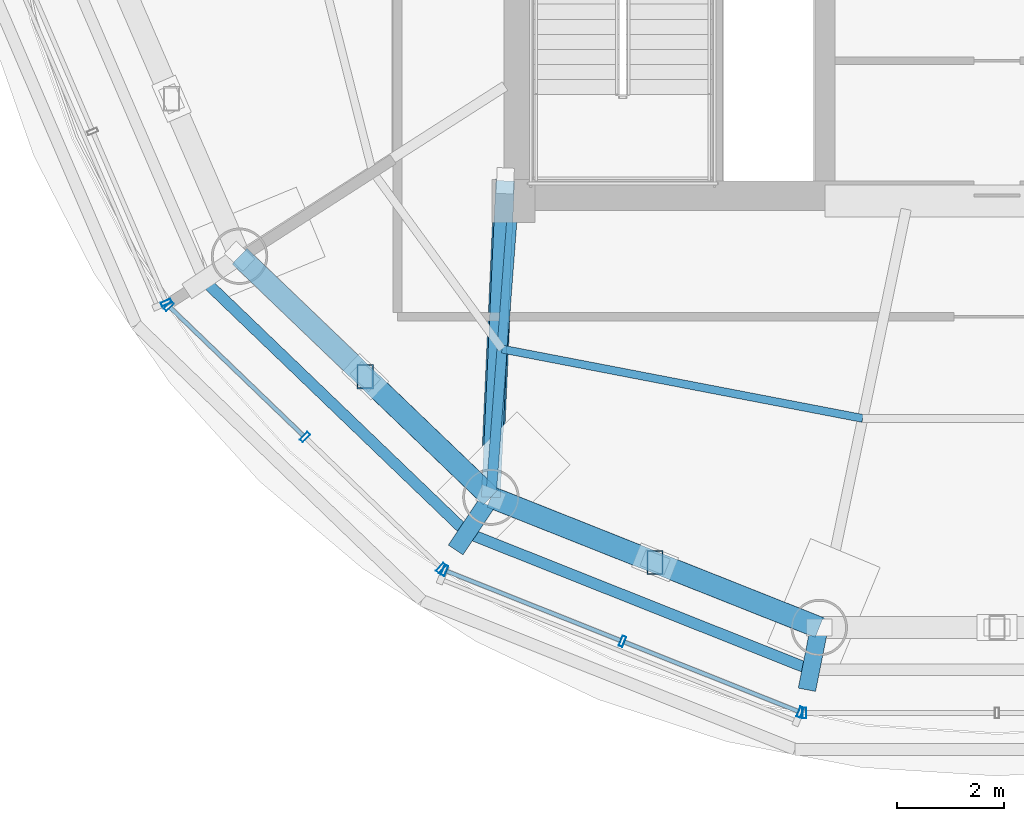
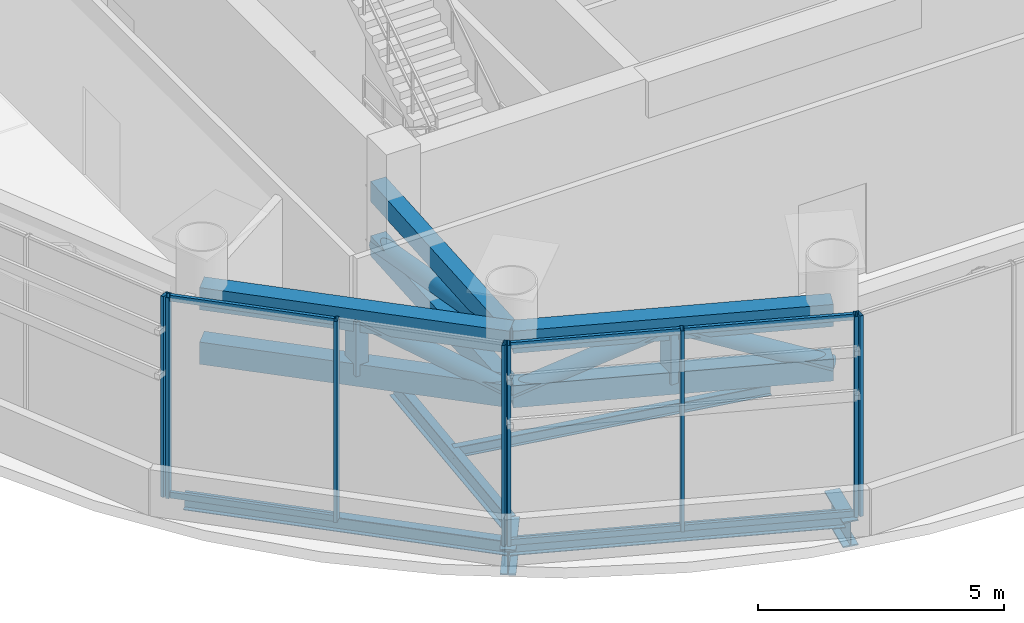
# One storey, part 2 of 21: 26 members, 6 beams, 4 elements without a shape of their own.
"""IFC4 building model written with IfcOpenShell, lengths in metres."""

from ifc_helpers import new_model, si_unit, direction, frame, origin, origin_2d, place, context, subcontext, project, spatial, hollow_rectangle, hollow_circle, i_section, extrude, source, transform, mapped, material, material_profile, profile_set, type_object, element, aggregate, save


model = new_model("IFC4")

# Units and contexts
model_context = context("Model", 3, precision=1e-05, world=origin(), true_north=direction((-0.2419218956, 0.970295726276)))
body_context = subcontext(model_context, "Body", "Model", "MODEL_VIEW")
ifc_project = project(units=[si_unit("LENGTHUNIT", "METRE"), si_unit("AREAUNIT", "SQUARE_METRE"), si_unit("VOLUMEUNIT", "CUBIC_METRE"), si_unit("PLANEANGLEUNIT", "RADIAN"), si_unit("MASSUNIT", "GRAM", prefix="KILO")], contexts=[model_context])

# Site, building, storey
site_placement = place(None, origin())
site = spatial("IfcSite", under=ifc_project, at=site_placement, CompositionType="ELEMENT")
building_placement = place(site_placement, origin())
building = spatial("IfcBuilding", under=site, at=building_placement, Name="Cobrevalo Terracotta Tower", CompositionType="ELEMENT")
storey_placement = place(building_placement, frame((0.0, 0.0, 300.699951171875)))
storey = spatial("IfcBuildingStorey", under=building, at=storey_placement, Name="L79", CompositionType="ELEMENT", Elevation=300.699951171875)

# Beams
ifc_material_1 = material(Name="Steel S355", Category="steel")
ifc_material_profile_1 = material_profile(ifc_material_1, i_section(OverallWidth=0.19091796875, OverallDepth=0.4599609375, WebThickness=0.010009765625, FlangeThickness=0.01611328125, at=origin_2d()), Name="W 460x82")
ifc_profile_set_1 = profile_set([ifc_material_profile_1], Name="Steel S355")
beam_type_1 = type_object("IfcBeamType", Name="Structural Beam W 460x82 (Steel S355)", PredefinedType="BEAM", material=ifc_profile_set_1)
beam_1_placement = place(storey_placement, frame((28.5830078125, 13.28857421875, -0.679931640625), z_axis=(0.075443293912, 0.997150093719, 0.0), x_axis=(-0.997150093719, 0.075443293912, 0.0)))
element("IfcBeam", 1, at=beam_1_placement, inside=storey, type_object=beam_type_1, Name="L79 radial floor girder 11", PredefinedType="BEAM", context=body_context, shape_type="SweptSolid", body=[
    extrude(i_section(OverallWidth=0.19091796875, OverallDepth=0.4599609375, WebThickness=0.010009765625, FlangeThickness=0.01611328125, at=origin_2d()), origin(), (0.0, 0.0, 1.0), 5.52734375),
])
ifc_material_profile_2 = material_profile(ifc_material_1, i_section(OverallWidth=0.3291015625, OverallDepth=0.635009765625, WebThickness=0.017822265625, FlangeThickness=0.031005859375, at=origin_2d()), Name="W 610x241")
ifc_profile_set_2 = profile_set([ifc_material_profile_2], Name="Steel S355")
beam_type_2 = type_object("IfcBeamType", Name="Structural Beam W 610x241 (Steel S355)", PredefinedType="BEAM", material=ifc_profile_set_2)
beam_2_placement = place(storey_placement, frame((27.927490234375, 12.307373046875, -0.767333984375), z_axis=(0.555511595138, 0.831508789892, 0.0), x_axis=(-0.831508789892, 0.555511595138, 0.0)))
element("IfcBeam", 2, at=beam_2_placement, inside=storey, type_object=beam_type_2, Name="L79 setback step-link girder 11", PredefinedType="BEAM", context=body_context, shape_type="SweptSolid", body=[
    extrude(i_section(OverallWidth=0.3291015625, OverallDepth=0.635009765625, WebThickness=0.017822265625, FlangeThickness=0.031005859375, at=origin_2d()), origin(), (0.0, 0.0, 1.0), 1.179931640625),
])
beam_3_placement = place(storey_placement, frame((34.463134765625, 9.704833984375, -0.767333984375), z_axis=(0.194882646266, 0.980826566822, 0.0), x_axis=(-0.980826566822, 0.194882646266, 0.0)))
element("IfcBeam", 3, at=beam_3_placement, inside=storey, type_object=beam_type_2, Name="L79 setback step-link girder 12", PredefinedType="BEAM", context=body_context, shape_type="SweptSolid", body=[
    extrude(i_section(OverallWidth=0.3291015625, OverallDepth=0.635009765625, WebThickness=0.017822265625, FlangeThickness=0.031005859375, at=origin_2d()), origin(), (0.0, 0.0, 1.0), 1.18017578125),
])
ifc_material_profile_3 = material_profile(ifc_material_1, i_section(OverallWidth=0.14794921875, OverallDepth=0.26611328125, WebThickness=0.007568359375, FlangeThickness=0.012939453125, at=origin_2d()), Name="W 250x44.8")
ifc_profile_set_3 = profile_set([ifc_material_profile_3], Name="Steel S355")
beam_type_3 = type_object("IfcBeamType", Name="Structural Joist W 250x44.8 (Steel S355)", PredefinedType="JOIST", material=ifc_profile_set_3)
beam_4_placement = place(storey_placement, frame((28.79150390625, 16.044189453125, -0.5830078125), z_axis=(0.981997269935, -0.188895108038, 0.0), x_axis=(0.188895108038, 0.981997269935, 0.0)))
element("IfcBeam", 4, at=beam_4_placement, inside=storey, type_object=beam_type_3, Name="L79 circumferential secondary floor joist 11", PredefinedType="JOIST", context=body_context, shape_type="SweptSolid", body=[
    extrude(i_section(OverallWidth=0.14794921875, OverallDepth=0.26611328125, WebThickness=0.007568359375, FlangeThickness=0.012939453125, at=origin_2d()), origin(), (0.0, 0.0, 1.0), 6.83203125),
])
ifc_material_profile_4 = material_profile(ifc_material_1, i_section(OverallWidth=0.205078125, OverallDepth=0.35400390625, WebThickness=0.009521484375, FlangeThickness=0.016845703125, at=origin_2d()), Name="W 360x79")
ifc_profile_set_4 = profile_set([ifc_material_profile_4], Name="Steel S355")
beam_type_4 = type_object("IfcBeamType", Name="Structural Spandrel W 360x79 (Steel S355)", PredefinedType="SPANDREL", material=ifc_profile_set_4)
beam_5_placement = place(storey_placement, frame((23.241455078125, 17.32763671875, -0.626953125), z_axis=(0.721183246144, -0.692744343522, 0.0), x_axis=(0.692744343522, 0.721183246144, 0.0)))
element("IfcBeam", 5, at=beam_5_placement, inside=storey, type_object=beam_type_4, Name="L79 perimeter ring spandrel 10", PredefinedType="SPANDREL", context=body_context, shape_type="SweptSolid", body=[
    extrude(i_section(OverallWidth=0.205078125, OverallDepth=0.35400390625, WebThickness=0.009521484375, FlangeThickness=0.016845703125, at=origin_2d()), origin(), (0.0, 0.0, 1.0), 6.79052734375),
])
beam_6_placement = place(storey_placement, frame((28.138671875, 12.62353515625, -0.626953125), z_axis=(0.929149986048, -0.369702993533, 0.0), x_axis=(0.369702993533, 0.929149986048, 0.0)))
element("IfcBeam", 6, at=beam_6_placement, inside=storey, type_object=beam_type_4, Name="L79 perimeter ring spandrel 11", PredefinedType="SPANDREL", context=body_context, shape_type="SweptSolid", body=[
    extrude(i_section(OverallWidth=0.205078125, OverallDepth=0.35400390625, WebThickness=0.009521484375, FlangeThickness=0.016845703125, at=origin_2d()), origin(), (0.0, 0.0, 1.0), 6.88623046875),
])

# Members
ifc_material_profile_5 = material_profile(ifc_material_1, hollow_rectangle(XDim=0.300048828125, YDim=0.449951171875, WallThickness=0.02001953125, at=origin_2d()), Name="RHS 450x300x20")
ifc_profile_set_5 = profile_set([ifc_material_profile_5], Name="Steel S355")
member_type_1 = type_object("IfcMemberType", Name="Steel Post RHS 450x300x20 (Steel S355)", PredefinedType="POST", material=ifc_profile_set_5)
shared_shape_1 = source(origin(), body_context, "Body", "SweptSolid", [
    extrude(hollow_rectangle(XDim=0.300048828125, YDim=0.449951171875, WallThickness=0.02001953125, at=origin_2d()), origin(), (0.0, 0.0, 1.0), 1.349853515625),
])
for number, where, z_axis, x_axis, name in (
    (7, (26.244873046875, 15.5302734375, 2.650146484375), (0.0, 0.0, 1.0), (1.0, 0.0, 0.0), "L79 belt truss post 10"),
    (8, (31.63818359375, 12.075439453125, 2.650146484375), (0.0, 0.0, 1.0), (1.0, 0.0, 0.0), "L79 belt truss post 11"),
):
    element("IfcMember", number, at=place(storey_placement, frame(where, z_axis=z_axis, x_axis=x_axis)), inside=storey, type_object=member_type_1, Name=name, PredefinedType="POST", context=body_context, shape_type="MappedRepresentation", body=[
        mapped(shared_shape_1, transform((0.0, 0.0, 0.0), scale=1.0)),
    ])
ifc_material_profile_6 = material_profile(ifc_material_1, hollow_circle(Radius=0.202880859375, WallThickness=0.01611328125, at=origin_2d()), Name="CHS 406x16")
ifc_profile_set_6 = profile_set([ifc_material_profile_6], Name="Steel S355")
member_type_2 = type_object("IfcMemberType", Name="Steel Brace CHS 406x16 (Steel S355)", PredefinedType="BRACE", material=ifc_profile_set_6)
shared_shape_2 = source(origin(), body_context, "Body", "SweptSolid", [
    extrude(hollow_circle(Radius=0.202880859375, WallThickness=0.01611328125, at=origin_2d()), origin(), (0.0, 0.0, 1.0), 3.50927734375),
])
member_1_placement = place(storey_placement, frame((28.5830078125, 13.28857421875, 2.650146484375), z_axis=(-0.666294981742, 0.638813879331, 0.38466586134), x_axis=(-0.692064138917, -0.721836011588, 0.0)))
element("IfcMember", 9, at=member_1_placement, inside=storey, type_object=member_type_2, Name="L79 belt truss diagonal brace 10-D2", PredefinedType="BRACE", context=body_context, shape_type="MappedRepresentation", body=[
    mapped(shared_shape_2, transform((0.0, 0.0, 0.0), scale=1.0)),
])
ifc_material_profile_7 = material_profile(ifc_material_1, hollow_rectangle(XDim=0.39990234375, YDim=0.550048828125, WallThickness=0.02490234375, at=origin_2d()), Name="RHS 550x400x25")
ifc_profile_set_7 = profile_set([ifc_material_profile_7], Name="Steel S355")
member_type_3 = type_object("IfcMemberType", Name="Steel Chord RHS 550x400x25 (Steel S355)", PredefinedType="CHORD", material=ifc_profile_set_7)
shared_shape_3 = source(origin(), body_context, "Body", "SweptSolid", [
    extrude(hollow_rectangle(XDim=0.39990234375, YDim=0.550048828125, WallThickness=0.02490234375, at=origin_2d()), origin(), (0.0, 0.0, 1.0), 6.57421875),
])
for number, where, z_axis, x_axis, name in (
    (10, (28.5830078125, 13.28857421875, 2.650146484375), (0.929406010795, -0.369058893806, 0.0), (0.369058893806, 0.929406010795, 0.0), "L79 belt truss chord 11-BC"),
    (11, (28.5830078125, 13.28857421875, 4.0), (0.929406010795, -0.369058893806, 0.0), (0.369058893806, 0.929406010795, 0.0), "L79 belt truss chord 11-TC"),
):
    element("IfcMember", number, at=place(storey_placement, frame(where, z_axis=z_axis, x_axis=x_axis)), inside=storey, type_object=member_type_3, Name=name, PredefinedType="CHORD", context=body_context, shape_type="MappedRepresentation", body=[
        mapped(shared_shape_3, transform((0.0, 0.0, 0.0), scale=1.0)),
    ])
shared_shape_4 = source(origin(), body_context, "Body", "SweptSolid", [
    extrude(hollow_circle(Radius=0.202880859375, WallThickness=0.01611328125, at=origin_2d()), origin(), (0.0, 0.0, 1.0), 3.553466796875),
])
for number, where, z_axis, x_axis, name in (
    (12, (28.5830078125, 13.28857421875, 2.650146484375), (0.859746949903, -0.341384257158, 0.379857830111), (0.369046156311, 0.929411068641, 0.0), "L79 belt truss diagonal brace 11-D1"),
    (13, (34.693115234375, 10.8623046875, 2.650146484375), (-0.859729028206, 0.341404422693, 0.379880268277), (-0.369071632111, -0.929400952426, 0.0), "L79 belt truss diagonal brace 11-D2"),
):
    element("IfcMember", number, at=place(storey_placement, frame(where, z_axis=z_axis, x_axis=x_axis)), inside=storey, type_object=member_type_2, Name=name, PredefinedType="BRACE", context=body_context, shape_type="MappedRepresentation", body=[
        mapped(shared_shape_4, transform((0.0, 0.0, 0.0), scale=1.0)),
    ])
shared_shape_5 = source(origin(), body_context, "Body", "SweptSolid", [
    extrude(hollow_rectangle(XDim=0.39990234375, YDim=0.550048828125, WallThickness=0.02490234375, at=origin_2d()), origin(), (0.0, 0.0, 1.0), 6.478515625),
])
for number, where, z_axis, x_axis, name in (
    (14, (23.906494140625, 17.77197265625, 2.650146484375), (0.721854060625, -0.692045312938, 0.0), (0.692045312938, 0.721854060625, 0.0), "L79 belt truss chord 10-BC"),
    (15, (23.906494140625, 17.77197265625, 4.0), (0.721854060625, -0.692045312938, 0.0), (0.692045312938, 0.721854060625, 0.0), "L79 belt truss chord 10-TC"),
):
    element("IfcMember", number, at=place(storey_placement, frame(where, z_axis=z_axis, x_axis=x_axis)), inside=storey, type_object=member_type_3, Name=name, PredefinedType="CHORD", context=body_context, shape_type="MappedRepresentation", body=[
        mapped(shared_shape_5, transform((0.0, 0.0, 0.0), scale=1.0)),
    ])
ifc_material_profile_8 = material_profile(ifc_material_1, hollow_rectangle(XDim=0.35009765625, YDim=0.5, WallThickness=0.02197265625, at=origin_2d()), Name="RHS 500x350x22")
ifc_profile_set_8 = profile_set([ifc_material_profile_8], Name="Steel S355")
member_type_4 = type_object("IfcMemberType", Name="Steel Chord RHS 500x350x22 (Steel S355)", PredefinedType="CHORD", material=ifc_profile_set_8)
shared_shape_6 = source(origin(), body_context, "Body", "SweptSolid", [
    extrude(hollow_rectangle(XDim=0.35009765625, YDim=0.5, WallThickness=0.02197265625, at=origin_2d()), origin(), (0.0, 0.0, 1.0), 5.892578125),
])
for number, where, z_axis, x_axis, name in (
    (16, (28.85009765625, 19.175048828125, 2.650146484375), (-0.045326846588, -0.998972210313, 0.0), (0.998972210313, -0.045326846588, 0.0), "L79 radial outrigger bottom chord 3"),
    (17, (28.85009765625, 19.175048828125, 4.0), (-0.045326846588, -0.998972210313, 0.0), (0.998972210313, -0.045326846588, 0.0), "L79 radial outrigger top chord 3"),
):
    element("IfcMember", number, at=place(storey_placement, frame(where, z_axis=z_axis, x_axis=x_axis)), inside=storey, type_object=member_type_4, Name=name, PredefinedType="CHORD", context=body_context, shape_type="MappedRepresentation", body=[
        mapped(shared_shape_6, transform((0.0, 0.0, 0.0), scale=1.0)),
    ])
shared_shape_7 = source(origin(), body_context, "Body", "SweptSolid", [
    extrude(hollow_circle(Radius=0.202880859375, WallThickness=0.01611328125, at=origin_2d()), origin(), (0.0, 0.0, 1.0), 6.045166015625),
])
member_2_placement = place(storey_placement, frame((28.85009765625, 19.175048828125, 2.650146484375), z_axis=(-0.044182388019, -0.973749138506, 0.223294719705), x_axis=(0.998972210313, -0.045326846588, 0.0)))
element("IfcMember", 18, at=member_2_placement, inside=storey, type_object=member_type_2, Name="L79 radial outrigger diagonal brace 3A", PredefinedType="BRACE", context=body_context, shape_type="MappedRepresentation", body=[
    mapped(shared_shape_7, transform((0.0, 0.0, 0.0), scale=1.0)),
])

# Curtain wall, member
ifc_material_2 = material(Name="Anodized aluminium", Category="aluminium")
curtain_wall_type = type_object("IfcCurtainWallType", Name="Belt-truss plant acoustic weather-louvre curtain wall CW-LV", PredefinedType="NOTDEFINED", material=ifc_material_2)
curtain_wall_1_placement = place(storey_placement, origin())
curtain_wall_1 = element("IfcCurtainWall", 19, at=curtain_wall_1_placement, inside=storey, type_object=curtain_wall_type, Name="L79 curtain wall CW-LV-L79-S09", PredefinedType="NOTDEFINED")
ifc_material_profile_9 = material_profile(ifc_material_2, hollow_rectangle(XDim=0.074951171875, YDim=0.199951171875, WallThickness=0.0048828125, at=origin_2d()), Name="CWM 75x200")
ifc_profile_set_9 = profile_set([ifc_material_profile_9], Name="Anodized aluminium")
member_type_5 = type_object("IfcMemberType", Name="Lower/mid tower unitised mullion 75x200", PredefinedType="MULLION", material=ifc_profile_set_9)
shared_shape_8 = source(origin(), body_context, "Body", "SweptSolid", [
    extrude(hollow_rectangle(XDim=0.074951171875, YDim=0.199951171875, WallThickness=0.0048828125, at=origin_2d()), origin(), (0.0, 0.0, 1.0), 4.97998046875),
])
member_3_placement = place(storey_placement, frame((22.543701171875, 16.90869140625, 0.0), z_axis=(0.0, 0.0, 1.0), x_axis=(0.395369166227, -0.918522303701, 0.0)))
member_3 = element("IfcMember", 20, at=member_3_placement, type_object=member_type_5, Name="CW-LV-L79-S09 vertical mullion 03", PredefinedType="MULLION", context=body_context, shape_type="MappedRepresentation", body=[
    mapped(shared_shape_8, transform((0.0, 0.0, 0.0), scale=1.0)),
])
aggregate(curtain_wall_1, [member_3])

# Curtain wall, members
curtain_wall_2_placement = place(storey_placement, origin())
curtain_wall_2 = element("IfcCurtainWall", 21, at=curtain_wall_2_placement, inside=storey, type_object=curtain_wall_type, Name="L79 curtain wall CW-LV-L79-S10", PredefinedType="NOTDEFINED")
member_4_placement = place(storey_placement, frame((22.58837890625, 16.84423828125, 0.0), z_axis=(0.0, 0.0, 1.0), x_axis=(0.72055111168, -0.693401828276, 0.0)))
member_4 = element("IfcMember", 22, at=member_4_placement, type_object=member_type_5, Name="CW-LV-L79-S10 vertical mullion 01", PredefinedType="MULLION", context=body_context, shape_type="MappedRepresentation", body=[
    mapped(shared_shape_8, transform((0.0, 0.0, 0.0), scale=1.0)),
])
member_5_placement = place(storey_placement, frame((25.121337890625, 14.40673828125, 0.0), z_axis=(0.0, 0.0, 1.0), x_axis=(0.72055111168, -0.693401828276, 0.0)))
member_5 = element("IfcMember", 23, at=member_5_placement, type_object=member_type_5, Name="CW-LV-L79-S10 vertical mullion 02", PredefinedType="MULLION", context=body_context, shape_type="MappedRepresentation", body=[
    mapped(shared_shape_8, transform((0.0, 0.0, 0.0), scale=1.0)),
])
member_6_placement = place(storey_placement, frame((27.654296875, 11.969482421875, 0.0), z_axis=(0.0, 0.0, 1.0), x_axis=(0.72055111168, -0.693401828276, 0.0)))
member_6 = element("IfcMember", 24, at=member_6_placement, type_object=member_type_5, Name="CW-LV-L79-S10 vertical mullion 03", PredefinedType="MULLION", context=body_context, shape_type="MappedRepresentation", body=[
    mapped(shared_shape_8, transform((0.0, 0.0, 0.0), scale=1.0)),
])

curtain_wall_3_placement = place(storey_placement, origin())
curtain_wall_3 = element("IfcCurtainWall", 25, at=curtain_wall_3_placement, inside=storey, type_object=curtain_wall_type, Name="L79 curtain wall CW-LV-L79-S11", PredefinedType="NOTDEFINED")
member_7_placement = place(storey_placement, frame((27.72021484375, 11.9267578125, 0.0), z_axis=(0.0, 0.0, 1.0), x_axis=(0.928925921087, -0.370265625102, 0.0)))
member_7 = element("IfcMember", 26, at=member_7_placement, type_object=member_type_5, Name="CW-LV-L79-S11 vertical mullion 01", PredefinedType="MULLION", context=body_context, shape_type="MappedRepresentation", body=[
    mapped(shared_shape_8, transform((0.0, 0.0, 0.0), scale=1.0)),
])
member_8_placement = place(storey_placement, frame((31.030029296875, 10.607421875, 0.0), z_axis=(0.0, 0.0, 1.0), x_axis=(0.928925921087, -0.370265625102, 0.0)))
member_8 = element("IfcMember", 27, at=member_8_placement, type_object=member_type_5, Name="CW-LV-L79-S11 vertical mullion 02", PredefinedType="MULLION", context=body_context, shape_type="MappedRepresentation", body=[
    mapped(shared_shape_8, transform((0.0, 0.0, 0.0), scale=1.0)),
])
member_9_placement = place(storey_placement, frame((34.340087890625, 9.2880859375, 0.0), z_axis=(0.0, 0.0, 1.0), x_axis=(0.928925921087, -0.370265625102, 0.0)))
member_9 = element("IfcMember", 28, at=member_9_placement, type_object=member_type_5, Name="CW-LV-L79-S11 vertical mullion 03", PredefinedType="MULLION", context=body_context, shape_type="MappedRepresentation", body=[
    mapped(shared_shape_8, transform((0.0, 0.0, 0.0), scale=1.0)),
])

# Curtain wall, member
curtain_wall_4_placement = place(storey_placement, origin())
curtain_wall_4 = element("IfcCurtainWall", 29, at=curtain_wall_4_placement, inside=storey, type_object=curtain_wall_type, Name="L79 curtain wall CW-LV-L79-S12", PredefinedType="NOTDEFINED")
member_10_placement = place(storey_placement, frame((34.417236328125, 9.2734375, 0.0), z_axis=(0.0, 0.0, 1.0), x_axis=(1.0, 0.0, 0.0)))
member_10 = element("IfcMember", 30, at=member_10_placement, type_object=member_type_5, Name="CW-LV-L79-S12 vertical mullion 01", PredefinedType="MULLION", context=body_context, shape_type="MappedRepresentation", body=[
    mapped(shared_shape_8, transform((0.0, 0.0, 0.0), scale=1.0)),
])
aggregate(curtain_wall_4, [member_10])

# Member
ifc_material_profile_10 = material_profile(ifc_material_2, hollow_rectangle(XDim=0.074951171875, YDim=0.14990234375, WallThickness=0.00439453125, at=origin_2d()), Name="CWT 75x150")
ifc_profile_set_10 = profile_set([ifc_material_profile_10], Name="Anodized aluminium")
member_type_6 = type_object("IfcMemberType", Name="Tower unitised aluminium transom 75x150", PredefinedType="USERDEFINED", material=ifc_profile_set_10)
shared_shape_9 = source(origin(), body_context, "Body", "SweptSolid", [
    extrude(hollow_rectangle(XDim=0.074951171875, YDim=0.14990234375, WallThickness=0.00439453125, at=origin_2d()), origin(), (0.0, 0.0, 1.0), 3.43505859375),
])
member_11_placement = place(storey_placement, frame((22.6171875, 16.81640625, 0.050048828125), z_axis=(0.7205858285, -0.693365750355, 0.0), x_axis=(0.693365750355, 0.7205858285, 0.0)))
member_11 = element("IfcMember", 31, at=member_11_placement, type_object=member_type_6, Name="CW-LV-L79-S10 transom B01-T1", ObjectType="TRANSOM", PredefinedType="USERDEFINED", context=body_context, shape_type="MappedRepresentation", body=[
    mapped(shared_shape_9, transform((0.0, 0.0, 0.0), scale=1.0)),
])

member_12_placement = place(storey_placement, frame((22.6171875, 16.81640625, 4.929931640625), z_axis=(0.7205858285, -0.693365750355, 0.0), x_axis=(0.693365750355, 0.7205858285, 0.0)))
member_12 = element("IfcMember", 32, at=member_12_placement, type_object=member_type_6, Name="CW-LV-L79-S10 transom B01-T2", ObjectType="TRANSOM", PredefinedType="USERDEFINED", context=body_context, shape_type="MappedRepresentation", body=[
    mapped(shared_shape_9, transform((0.0, 0.0, 0.0), scale=1.0)),
])

aggregate(curtain_wall_2, [member_4, member_5, member_6, member_11, member_12])

shared_shape_10 = source(origin(), body_context, "Body", "SweptSolid", [
    extrude(hollow_rectangle(XDim=0.074951171875, YDim=0.14990234375, WallThickness=0.00439453125, at=origin_2d()), origin(), (0.0, 0.0, 1.0), 3.483154296875),
])
member_13_placement = place(storey_placement, frame((27.75732421875, 11.912109375, 0.050048828125), z_axis=(0.928915921031, -0.370290712353, 0.0), x_axis=(0.370290712353, 0.928915921031, 0.0)))
member_13 = element("IfcMember", 33, at=member_13_placement, type_object=member_type_6, Name="CW-LV-L79-S11 transom B01-T1", ObjectType="TRANSOM", PredefinedType="USERDEFINED", context=body_context, shape_type="MappedRepresentation", body=[
    mapped(shared_shape_10, transform((0.0, 0.0, 0.0), scale=1.0)),
])

member_14_placement = place(storey_placement, frame((27.75732421875, 11.912109375, 4.929931640625), z_axis=(0.928915921031, -0.370290712353, 0.0), x_axis=(0.370290712353, 0.928915921031, 0.0)))
member_14 = element("IfcMember", 34, at=member_14_placement, type_object=member_type_6, Name="CW-LV-L79-S11 transom B01-T2", ObjectType="TRANSOM", PredefinedType="USERDEFINED", context=body_context, shape_type="MappedRepresentation", body=[
    mapped(shared_shape_10, transform((0.0, 0.0, 0.0), scale=1.0)),
])

member_15_placement = place(storey_placement, frame((31.0673828125, 10.5927734375, 0.050048828125), z_axis=(0.928915921031, -0.370290712353, 0.0), x_axis=(0.370290712353, 0.928915921031, 0.0)))
member_15 = element("IfcMember", 35, at=member_15_placement, type_object=member_type_6, Name="CW-LV-L79-S11 transom B02-T1", ObjectType="TRANSOM", PredefinedType="USERDEFINED", context=body_context, shape_type="MappedRepresentation", body=[
    mapped(shared_shape_10, transform((0.0, 0.0, 0.0), scale=1.0)),
])

member_16_placement = place(storey_placement, frame((31.0673828125, 10.5927734375, 4.929931640625), z_axis=(0.928915921031, -0.370290712353, 0.0), x_axis=(0.370290712353, 0.928915921031, 0.0)))
member_16 = element("IfcMember", 36, at=member_16_placement, type_object=member_type_6, Name="CW-LV-L79-S11 transom B02-T2", ObjectType="TRANSOM", PredefinedType="USERDEFINED", context=body_context, shape_type="MappedRepresentation", body=[
    mapped(shared_shape_10, transform((0.0, 0.0, 0.0), scale=1.0)),
])

aggregate(curtain_wall_3, [member_7, member_8, member_9, member_13, member_14, member_15, member_16])

save(model, "model.ifc")
